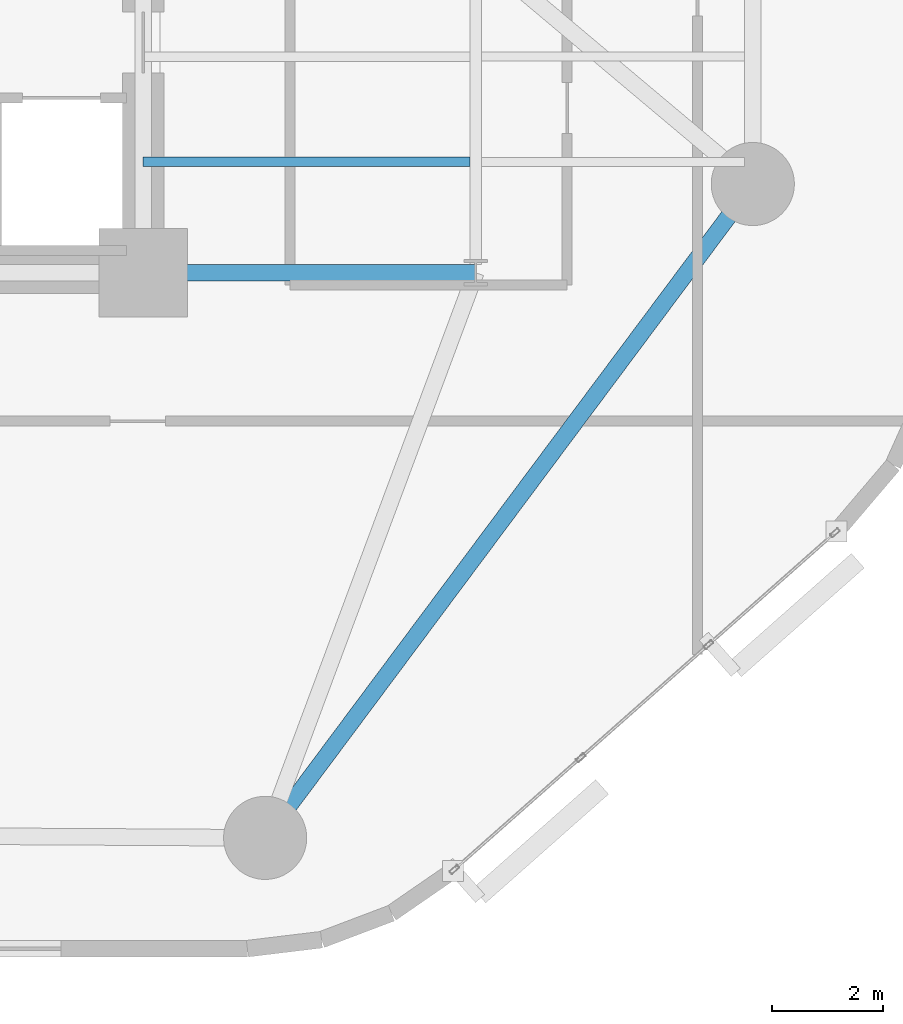
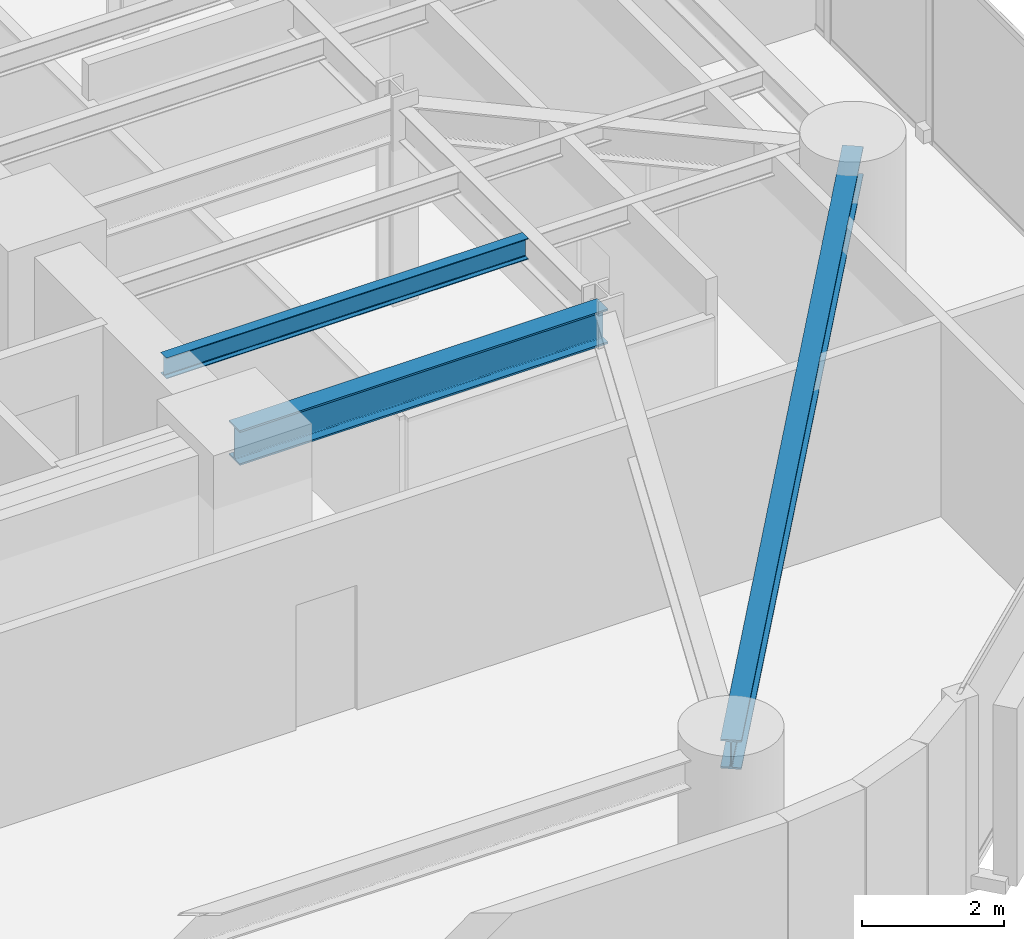
# One storey, part 3 of 16: 3 beams.
"""IFC4 building model written with IfcOpenShell, lengths in metres."""

from ifc_helpers import new_model, si_unit, direction, frame, origin, origin_2d, place, context, subcontext, project, spatial, i_section, extrude, material, material_profile, profile_set, type_object, element, save


model = new_model("IFC4")

# Units and contexts
model_context = context("Model", 3, precision=1e-05, world=origin(), true_north=direction((0.0, 1.0)))
body_context = subcontext(model_context, "Body", "Model", "MODEL_VIEW")
ifc_project = project(units=[si_unit("LENGTHUNIT", "METRE"), si_unit("AREAUNIT", "SQUARE_METRE"), si_unit("VOLUMEUNIT", "CUBIC_METRE"), si_unit("PLANEANGLEUNIT", "RADIAN"), si_unit("MASSUNIT", "GRAM", prefix="KILO")], contexts=[model_context])

# Site, building, storey
site_placement = place(None, origin())
site = spatial("IfcSite", under=ifc_project, at=site_placement, CompositionType="ELEMENT")
building_placement = place(site_placement, origin())
building = spatial("IfcBuilding", under=site, at=building_placement, Name="An Khanh Terracotta Commons", CompositionType="ELEMENT")
storey_placement = place(building_placement, frame((0.0, 0.0, 72.0)))
storey = spatial("IfcBuildingStorey", under=building, at=storey_placement, Name="L19", CompositionType="ELEMENT", Elevation=72.0)

# Beams
ifc_material = material(Name="Steel S355J2", Category="steel")
ifc_material_profile_1 = material_profile(ifc_material, i_section(OverallWidth=0.300048828125, OverallDepth=0.5, WebThickness=0.014404296875, FlangeThickness=0.028076171875, FilletRadius=0.027099609375, at=origin_2d()), Name="HEB500")
ifc_profile_set_1 = profile_set([ifc_material_profile_1], Name="Steel S355J2")
beam_type_1 = type_object("IfcBeamType", Name="BM-HEB500", PredefinedType="BEAM", material=ifc_profile_set_1)
beam_1_placement = place(storey_placement, frame((39.39990234375, 4.199951171875, 3.110107421875), z_axis=(0.59782442166, 0.801627070942, 0.0), x_axis=(-0.801627070942, 0.59782442166, 0.0)))
element("IfcBeam", 1, at=beam_1_placement, inside=storey, type_object=beam_type_1, Name="L19 Perimeter Ring Spandrel 2", PredefinedType="BEAM", context=body_context, shape_type="SweptSolid", body=[
    extrude(i_section(OverallWidth=0.300048828125, OverallDepth=0.5, WebThickness=0.014404296875, FlangeThickness=0.028076171875, FilletRadius=0.027099609375, at=origin_2d()), origin(), (0.0, 0.0, 1.0), 14.72021484375),
])
ifc_material_profile_2 = material_profile(ifc_material, i_section(OverallWidth=0.300048828125, OverallDepth=0.60009765625, WebThickness=0.015380859375, FlangeThickness=0.030029296875, FilletRadius=0.027099609375, at=origin_2d()), Name="HEB600")
ifc_profile_set_2 = profile_set([ifc_material_profile_2], Name="Steel S355J2")
beam_type_2 = type_object("IfcBeamType", Name="BM-HEB600", PredefinedType="BEAM", material=ifc_profile_set_2)
beam_2_placement = place(storey_placement, frame((37.199951171875, 14.39990234375, 3.06005859375), z_axis=(1.0, 0.0, 0.0), x_axis=(0.0, 1.0, 0.0)))
element("IfcBeam", 2, at=beam_2_placement, inside=storey, type_object=beam_type_2, Name="L19 East Primary Floor Girder 1", PredefinedType="BEAM", context=body_context, shape_type="SweptSolid", body=[
    extrude(i_section(OverallWidth=0.300048828125, OverallDepth=0.60009765625, WebThickness=0.015380859375, FlangeThickness=0.030029296875, FilletRadius=0.027099609375, at=origin_2d()), origin(), (0.0, 0.0, 1.0), 6.0),
])
ifc_material_profile_3 = material_profile(ifc_material, i_section(OverallWidth=0.169921875, OverallDepth=0.360107421875, WebThickness=0.008056640625, FlangeThickness=0.0126953125, FilletRadius=0.01806640625, at=origin_2d()), Name="IPE360")
ifc_profile_set_3 = profile_set([ifc_material_profile_3], Name="Steel S355J2")
beam_type_3 = type_object("IfcBeamType", Name="BM-IPE360", PredefinedType="JOIST", material=ifc_profile_set_3)
beam_3_placement = place(storey_placement, frame((37.199951171875, 16.39990234375, 3.179931640625), z_axis=(1.0, 0.0, 0.0), x_axis=(0.0, 1.0, 0.0)))
element("IfcBeam", 3, at=beam_3_placement, inside=storey, type_object=beam_type_3, Name="L19 Inboard Composite Joist 1", PredefinedType="JOIST", context=body_context, shape_type="SweptSolid", body=[
    extrude(i_section(OverallWidth=0.169921875, OverallDepth=0.360107421875, WebThickness=0.008056640625, FlangeThickness=0.0126953125, FilletRadius=0.01806640625, at=origin_2d()), origin(), (0.0, 0.0, 1.0), 5.89501953125),
])

save(model, "model.ifc")
